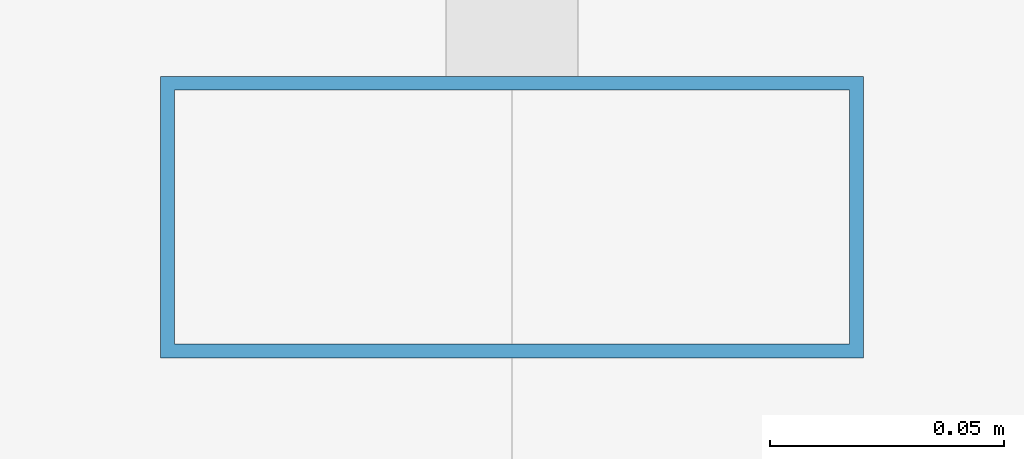
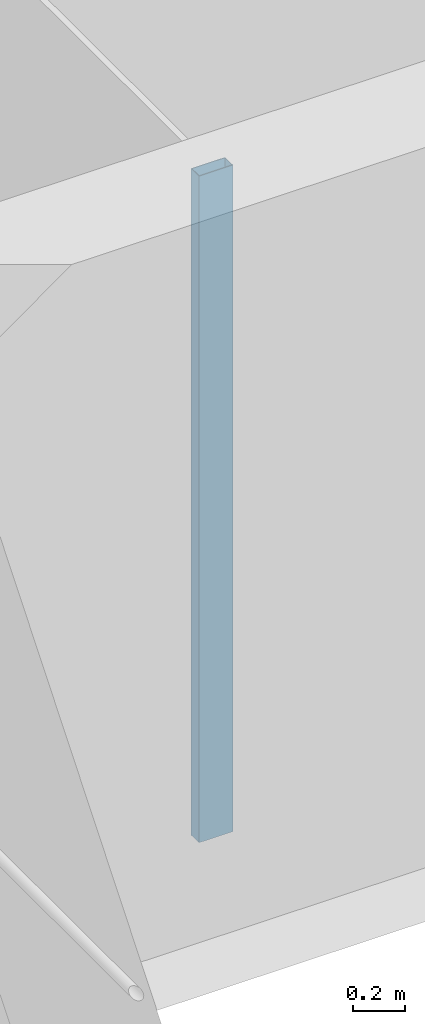
# One storey, part 11 of 40: 1 member, 1 element without a shape of its own.
"""IFC4 building model written with IfcOpenShell, lengths in metres."""

import ifcopenshell
import ifcopenshell.guid

model = None  # the IFC model being written
_history = None  # IfcOwnerHistory: only IFC2X3 demands one
_inside = {}  # id of a spatial element -> (the spatial element, [elements in it])
_under = {}  # id of a project, library or spatial element -> (it, [spatial elements below it])
_declared = {}  # id of a project -> (the project, [libraries it declares])
_typed = {}  # id of a type object -> (the type object, [elements of that type])
_made_of = {}  # id of a material, layer set ... -> (it, [elements and type objects made of it])


def new_model(schema):
    """Start an empty IFC model of exactly this schema.

    Asked for "IFC4X3", IfcOpenShell would pick the latest addendum, in which some entities
    have other attributes; the version numbers below select the first issue.
    IFC2X3 requires an IfcOwnerHistory on every rooted entity: one is made here for all.
    """
    global model, _history
    if schema == "IFC4X3":
        model = ifcopenshell.file(schema_version=(4, 3, 0, 0))
    else:
        model = ifcopenshell.file(schema=schema)
    _inside.clear()
    _under.clear()
    _declared.clear()
    _typed.clear()
    _made_of.clear()
    _history = None
    if model.schema == "IFC2X3":
        org = make("IfcOrganization", Name="unknown")
        user = make(
            "IfcPersonAndOrganization",
            ThePerson=make("IfcPerson", FamilyName="unknown"),
            TheOrganization=org,
        )
        app = make(
            "IfcApplication",
            ApplicationDeveloper=org,
            Version="unknown",
            ApplicationFullName="unknown",
            ApplicationIdentifier="unknown",
        )
        _history = make(
            "IfcOwnerHistory",
            OwningUser=user,
            OwningApplication=app,
            ChangeAction="ADDED",
            CreationDate=0,
        )
    return model


def make(cls, **values):
    """One entity of the class cls with the attributes given. An attribute that is None is left unset."""
    return model.create_entity(
        cls, **{name: value for name, value in values.items() if value is not None}
    )


def rooted(cls, **values):
    """An entity with a GlobalId (a new one), such as an element, a storey or a relation."""
    return make(cls, GlobalId=ifcopenshell.guid.new(), OwnerHistory=_history, **values)


def si_unit(unit_type, name, prefix=None):
    """IfcSIUnit, for example si_unit("LENGTHUNIT", "METRE", prefix="MILLI")."""
    return make("IfcSIUnit", UnitType=unit_type, Prefix=prefix, Name=name)


def assignment(units):
    """IfcUnitAssignment: the units of a project."""
    return None if units is None else make("IfcUnitAssignment", Units=units)


def point(xyz):
    """IfcCartesianPoint."""
    return None if xyz is None else make("IfcCartesianPoint", Coordinates=xyz)


def direction(xyz):
    """IfcDirection."""
    return None if xyz is None else make("IfcDirection", DirectionRatios=xyz)


def frame(location, z_axis=None, x_axis=None):
    """IfcAxis2Placement3D, a coordinate frame: its origin and axes. An axis left out is left unset."""
    return make(
        "IfcAxis2Placement3D",
        Location=point(location),
        Axis=direction(z_axis),
        RefDirection=direction(x_axis),
    )


def frame_2d(location, x_axis=None):
    """IfcAxis2Placement2D, a coordinate frame in the plane: its origin and x axis."""
    return make(
        "IfcAxis2Placement2D", Location=point(location), RefDirection=direction(x_axis)
    )


def origin():
    """The frame at (0, 0, 0) with its axes left unset."""
    return frame((0.0, 0.0, 0.0))


def origin_2d():
    """The frame at (0, 0) in the plane with its x axis left unset."""
    return frame_2d((0.0, 0.0))


def place(relative_to, where):
    """IfcLocalPlacement: puts the frame where relative to a parent placement (None: the world)."""
    return make(
        "IfcLocalPlacement", PlacementRelTo=relative_to, RelativePlacement=where
    )


def context(
    kind, dimensions, precision=None, world=None, true_north=None, identifier=None
):
    """IfcGeometricRepresentationContext, for example the 3D "Model" context."""
    return make(
        "IfcGeometricRepresentationContext",
        ContextIdentifier=identifier,
        ContextType=kind,
        CoordinateSpaceDimension=dimensions,
        Precision=precision,
        WorldCoordinateSystem=world,
        TrueNorth=true_north,
    )


def subcontext(parent, identifier, kind, view, scale=None):
    """IfcGeometricRepresentationSubContext, for example "Body" below "Model"."""
    return make(
        "IfcGeometricRepresentationSubContext",
        ContextIdentifier=identifier,
        ContextType=kind,
        ParentContext=parent,
        TargetScale=scale,
        TargetView=view,
    )


def project(units=None, contexts=None):
    """IfcProject with its units and contexts."""
    return rooted(
        "IfcProject",
        Name="project",
        RepresentationContexts=contexts,
        UnitsInContext=assignment(units),
    )


def spatial(cls, under=None, at=None, **own):
    """A site, building, storey or space (cls), placed at a placement, below another one or the project."""
    s = rooted(cls, ObjectPlacement=at, **own)
    if under is not None:
        _under.setdefault(under.id(), (under, []))[1].append(s)
    return s


def profile(cls, at=None, kind="AREA", **sizes):
    """A parametric profile (cls). Its sizes go by their IFC names, for example OverallWidth=200.0."""
    return make(cls, ProfileType=kind, Position=at, **sizes)


def hollow_rectangle(**sizes):
    """IfcRectangleHollowProfileDef."""
    return profile("IfcRectangleHollowProfileDef", **sizes)


def extrude(swept, where, along, depth):
    """IfcExtrudedAreaSolid: the profile swept, set in the frame where, extruded along a direction by depth."""
    return make(
        "IfcExtrudedAreaSolid",
        SweptArea=swept,
        Position=where,
        ExtrudedDirection=direction(along),
        Depth=depth,
    )


def shape(context_of_items, identifier, shape_type, items):
    """IfcShapeRepresentation: the items that make up one representation, for example the "Body"."""
    return make(
        "IfcShapeRepresentation",
        ContextOfItems=context_of_items,
        RepresentationIdentifier=identifier,
        RepresentationType=shape_type,
        Items=items,
    )


def material(Name=None, Category=None):
    """IfcMaterial."""
    return make("IfcMaterial", Name=Name, Category=Category)


def material_profile(
    of_material, cross_section, Name=None, Category=None, Priority=None
):
    """IfcMaterialProfile: a cross section and its material."""
    return make(
        "IfcMaterialProfile",
        Name=Name,
        Material=of_material,
        Profile=cross_section,
        Priority=Priority,
        Category=Category,
    )


def profile_set(profiles, Name=None, composite=None):
    """IfcMaterialProfileSet."""
    return make(
        "IfcMaterialProfileSet",
        Name=Name,
        MaterialProfiles=profiles,
        CompositeProfile=composite,
    )


def made_of(thing, what):
    """Note that an element or type object is made of a material, layer set ...; save() writes the relation."""
    if what is not None:
        _made_of.setdefault(what.id(), (what, []))[1].append(thing)
    return thing


def type_object(cls, material=None, **own):
    """A type object (cls), such as IfcWallType, which elements share."""
    return made_of(rooted(cls, **own), material)


def element(
    cls,
    number,
    at=None,
    inside=None,
    cuts=None,
    type_object=None,
    material=None,
    context=None,
    identifier="Body",
    shape_type=None,
    held_by="IfcProductDefinitionShape",
    body=None,
    shapes=None,
    **own,
):
    """One element of the class cls, such as IfcWall. Its Tag is "e" and its number.

    at: its placement. inside: the storey or other place that contains it. cuts: it is an
    opening in that element (IfcRelVoidsElement). A single representation is given by context,
    identifier, shape_type and body (its items); several are given by shapes. held_by: the class
    of the entity that holds the representations. save() writes the other relations.
    """
    e = rooted(cls, Tag="e%d" % number, ObjectPlacement=at, **own)
    if body is not None:
        shapes = [shape(context, identifier, shape_type, body)]
    if shapes is not None:
        e.Representation = make(held_by, Representations=shapes)
    if inside is not None:
        _inside.setdefault(inside.id(), (inside, []))[1].append(e)
    if cuts is not None:
        rooted(
            "IfcRelVoidsElement", RelatingBuildingElement=cuts, RelatedOpeningElement=e
        )
    if type_object is not None:
        _typed.setdefault(type_object.id(), (type_object, []))[1].append(e)
    return made_of(e, material)


def aggregate(whole, parts):
    """IfcRelAggregates: a whole, such as a stair, and the parts it consists of."""
    return rooted("IfcRelAggregates", RelatingObject=whole, RelatedObjects=parts)


def save(model, path):
    """Write the relations noted so far, then the file.

    IfcRelAggregates (storeys below a building ...), IfcRelContainedInSpatialStructure (elements
    in a storey), IfcRelDefinesByType, IfcRelAssociatesMaterial and IfcRelDeclares: one each for
    every whole, place, type object, material and project.
    """
    for whole, parts in _under.values():
        aggregate(whole, parts)
    for where, things in _inside.values():
        rooted(
            "IfcRelContainedInSpatialStructure",
            RelatedElements=things,
            RelatingStructure=where,
        )
    for kind, things in _typed.values():
        rooted("IfcRelDefinesByType", RelatedObjects=things, RelatingType=kind)
    for what, things in _made_of.values():
        rooted("IfcRelAssociatesMaterial", RelatedObjects=things, RelatingMaterial=what)
    for by, libraries in _declared.values():
        rooted("IfcRelDeclares", RelatingContext=by, RelatedDefinitions=libraries)
    model.write(path)


model = new_model("IFC4")

# Units and contexts
model_context = context("Model", 3, precision=1e-05, world=origin(), true_north=direction((0.0, 1.0)))
body_context = subcontext(model_context, "Body", "Model", "MODEL_VIEW")
ifc_project = project(units=[si_unit("LENGTHUNIT", "METRE"), si_unit("AREAUNIT", "SQUARE_METRE"), si_unit("VOLUMEUNIT", "CUBIC_METRE"), si_unit("PLANEANGLEUNIT", "RADIAN"), si_unit("MASSUNIT", "GRAM", prefix="KILO")], contexts=[model_context])

# Site, building, storey
site_placement = place(None, origin())
site = spatial("IfcSite", under=ifc_project, at=site_placement, CompositionType="ELEMENT")
building_placement = place(site_placement, origin())
building = spatial("IfcBuilding", under=site, at=building_placement, Name="Altepetl Exchange Towers", CompositionType="ELEMENT")
storey_placement = place(building_placement, frame((0.0, 0.0, 199.199951171875)))
storey = spatial("IfcBuildingStorey", under=building, at=storey_placement, Name="L50", CompositionType="ELEMENT", Elevation=199.199951171875)

# Curtain wall, member
ifc_material_1 = material(Name="Aluminium 6063-T6 glazing", Category="aluminium")
curtain_wall_type = type_object("IfcCurtainWallType", Name="Loggia glazing system", PredefinedType="NOTDEFINED", material=ifc_material_1)
curtain_wall_placement = place(storey_placement, origin())
curtain_wall = element("IfcCurtainWall", 1, at=curtain_wall_placement, inside=storey, type_object=curtain_wall_type, Name="CW1 run", PredefinedType="NOTDEFINED")
ifc_material_2 = material(Name="Aluminium 6063-T6", Category="aluminium")
ifc_material_profile = material_profile(ifc_material_2, hollow_rectangle(XDim=0.06005859375, YDim=0.14990234375, WallThickness=0.0029296875, at=origin_2d()), Name="Mullion 60x150 aluminium")
ifc_profile_set = profile_set([ifc_material_profile], Name="Aluminium 6063-T6")
member_type = type_object("IfcMemberType", Name="Mullion 60x150 aluminium", PredefinedType="MULLION", material=ifc_profile_set)
member_placement = place(storey_placement, frame((42.5, 58.60498046875, 0.0), z_axis=(0.0, 0.0, 1.0), x_axis=(0.0, -1.0, 0.0)))
member = element("IfcMember", 2, at=member_placement, type_object=member_type, Name="MU1 mullion", PredefinedType="MULLION", context=body_context, shape_type="SweptSolid", body=[
    extrude(hollow_rectangle(XDim=0.06005859375, YDim=0.14990234375, WallThickness=0.0029296875, at=origin_2d()), origin(), (0.0, 0.0, 1.0), 3.10009765625),
])
aggregate(curtain_wall, [member])

save(model, "model.ifc")
